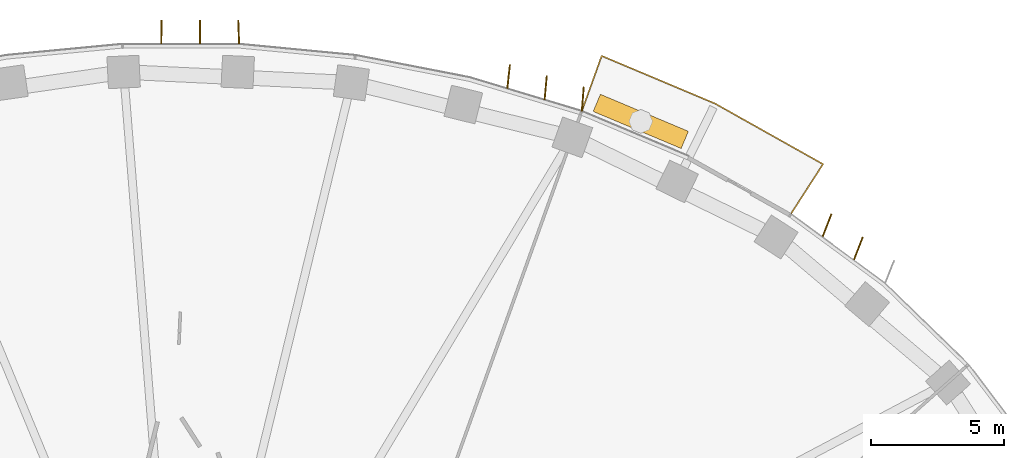
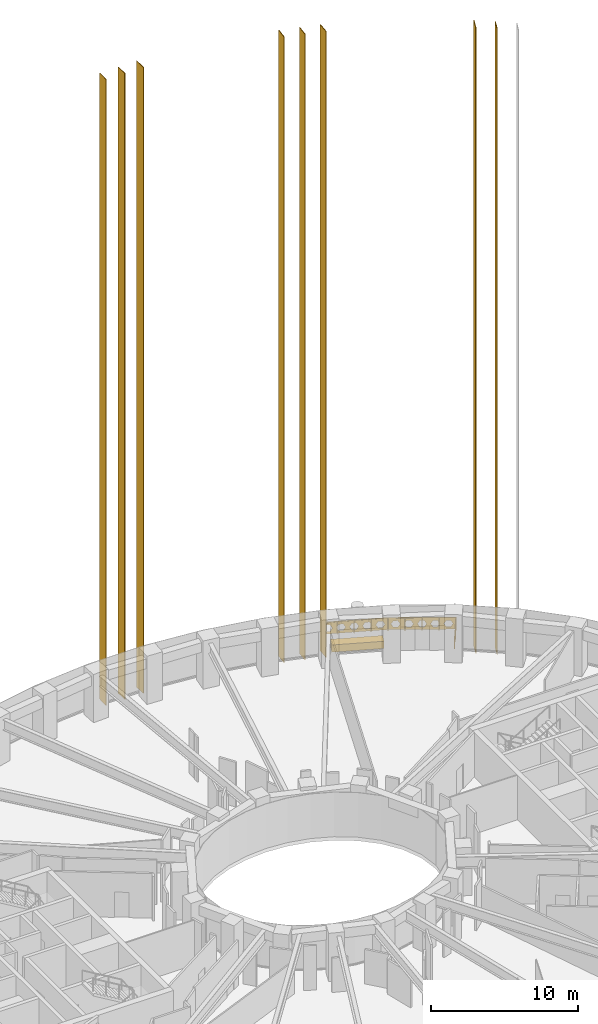
# One storey, part 17 of 19: 9 coverings, 1 railing.
"""IFC4 building model written with IfcOpenShell, lengths in metres."""

from ifc_helpers import new_model, si_unit, direction, frame, origin, origin_2d, place, context, subcontext, project, spatial, polyline, rectangle, outline, extrude, material, material_profile, profile_set, type_object, element, save


model = new_model("IFC4")

# Units and contexts
model_context = context("Model", 3, precision=1e-05, world=origin(), true_north=direction((0.0, 1.0)))
body_context = subcontext(model_context, "Body", "Model", "MODEL_VIEW")
ifc_project = project(units=[si_unit("LENGTHUNIT", "METRE"), si_unit("AREAUNIT", "SQUARE_METRE"), si_unit("VOLUMEUNIT", "CUBIC_METRE"), si_unit("PLANEANGLEUNIT", "RADIAN"), si_unit("MASSUNIT", "GRAM", prefix="KILO")], contexts=[model_context])

# Site, building, storey
site_placement = place(None, origin())
site = spatial("IfcSite", under=ifc_project, at=site_placement, CompositionType="ELEMENT")
building_placement = place(site_placement, origin())
building = spatial("IfcBuilding", under=site, at=building_placement, Name="Noorbagh Ring Tower", CompositionType="ELEMENT")
storey_placement = place(building_placement, frame((0.0, 0.0, 146.0)))
storey = spatial("IfcBuildingStorey", under=building, at=storey_placement, Name="L33", CompositionType="ELEMENT", Elevation=146.0)

# Coverings
ifc_material_1 = material(Name="Aluminium 6063-T6 black anodised", Category="aluminium")
ifc_material_profile = material_profile(ifc_material_1, rectangle(XDim=0.89990234375, YDim=0.050048828125, at=origin_2d()), Name="900x50")
ifc_profile_set = profile_set([ifc_material_profile], Name="Aluminium 6063-T6 black anodised")
covering_type_1 = type_object("IfcCoveringType", Name="ENV-FIN", PredefinedType="CLADDING", material=ifc_profile_set)
for number, where, z_axis, x_axis, name in (
    (1, (25.455078125, 20.2744140625, -0.284912109375), (0.0, 0.0, 1.0), (0.366046969104, 0.930596376745, 0.0), "Fin F06 2 L33-L45"),
    (2, (24.277587890625, 21.1416015625, -0.284912109375), (0.0, 0.0, 1.0), (0.364533046139, 0.931190452202, 0.0), "Fin F06 3 L33-L45"),
    (3, (15.102294921875, 25.884521484375, -0.284912109375), (0.0, 0.0, 1.0), (0.078357246483, 0.996925344208, 0.0), "Fin F09 1 L33-L45"),
    (4, (13.708740234375, 26.304931640625, -0.284912109375), (0.0, 0.0, 1.0), (0.092918421481, 0.995673725148, 0.0), "Fin F09 2 L33-L45"),
    (5, (12.31591796875, 26.72509765625, -0.284912109375), (0.0, 0.0, 1.0), (0.109101232004, 0.994030643982, 0.0), "Fin F09 3 L33-L45"),
    (6, (2.17724609375, 28.399169921875, -0.284912109375), (0.0, 0.0, 1.0), (-0.035640795498, 0.999364665023, 0.0), "Fin F12 1 L33-L45"),
    (7, (0.7255859375, 28.398681640625, -0.284912109375), (0.0, 0.0, 1.0), (-0.011915412219, 0.999929008956, 0.0), "Fin F12 2 L33-L45"),
    (8, (-0.7255859375, 28.398681640625, -0.284912109375), (0.0, 0.0, 1.0), (0.011915412219, 0.999929008956, 0.0), "Fin F12 3 L33-L45"),
):
    element("IfcCovering", number, at=place(storey_placement, frame(where, z_axis=z_axis, x_axis=x_axis)), inside=storey, type_object=covering_type_1, Name=name, ObjectType="FIN", PredefinedType="CLADDING", context=body_context, shape_type="SweptSolid", body=[
        extrude(rectangle(XDim=0.89990234375, YDim=0.050048828125, at=origin_2d()), origin(), (0.0, 0.0, 1.0), 51.969970703125),
    ])

# Railing
ifc_material_2 = material(Name="Steel S275 black powder-coated", Category="steel")
railing_type = type_object("IfcRailingType", Name="ENV-GUARD", PredefinedType="GUARDRAIL", material=ifc_material_2)
railing_placement = place(storey_placement, frame((22.9326171875, 21.583740234375, 0.0)))
element("IfcRailing", 9, at=railing_placement, inside=storey, type_object=railing_type, Name="Balcony guard BN02", PredefinedType="GUARDRAIL", context=body_context, shape_type="SweptSolid", body=[
    extrude(rectangle(XDim=0.048095703125, YDim=0.048095703125, at=origin_2d()), frame((0.0, 0.0, 1.076171875), z_axis=(0.542268136821, 0.840205491406, 0.0), x_axis=(-0.840205491406, 0.542268136821, 0.0)), (0.0, 0.0, 1.0), 2.204345703125),
    extrude(rectangle(XDim=0.048095703125, YDim=0.048095703125, at=origin_2d()), frame((1.1953125, 1.85205078125, 1.076171875), z_axis=(-0.872052247658, 0.489412788303, 0.0), x_axis=(-0.489412788303, -0.872052247658, 0.0)), (0.0, 0.0, 1.0), 4.646240234375),
    extrude(rectangle(XDim=0.048095703125, YDim=0.048095703125, at=origin_2d()), frame((-2.8564453125, 4.1259765625, 1.076171875), z_axis=(-0.921809087722, 0.387644174203, 0.0), x_axis=(-0.387644174203, -0.921809087722, 0.0)), (0.0, 0.0, 1.0), 4.627197265625),
    extrude(rectangle(XDim=0.048095703125, YDim=0.048095703125, at=origin_2d()), frame((-7.121826171875, 5.919677734375, 1.076171875), z_axis=(-0.338350546839, -0.941020141896, 0.0), x_axis=(0.941020141896, -0.338350546839, 0.0)), (0.0, 0.0, 1.0), 2.202880859375),
    extrude(rectangle(XDim=0.0419921875, YDim=0.0419921875, at=origin_2d()), origin(), (0.0, 0.0, 1.0), 1.052001953125),
    extrude(rectangle(XDim=0.0419921875, YDim=0.0419921875, at=origin_2d()), frame((0.59765625, 0.926025390625, 0.0)), (0.0, 0.0, 1.0), 1.052001953125),
    extrude(rectangle(XDim=0.0419921875, YDim=0.0419921875, at=origin_2d()), frame((1.1953125, 1.85205078125, 0.0)), (0.0, 0.0, 1.0), 1.052001953125),
    extrude(rectangle(XDim=0.0419921875, YDim=0.0419921875, at=origin_2d()), frame((0.182373046875, 2.42041015625, 0.0)), (0.0, 0.0, 1.0), 1.052001953125),
    extrude(rectangle(XDim=0.0419921875, YDim=0.0419921875, at=origin_2d()), frame((-0.83056640625, 2.989013671875, 0.0)), (0.0, 0.0, 1.0), 1.052001953125),
    extrude(rectangle(XDim=0.0419921875, YDim=0.0419921875, at=origin_2d()), frame((-1.843505859375, 3.5576171875, 0.0)), (0.0, 0.0, 1.0), 1.052001953125),
    extrude(rectangle(XDim=0.0419921875, YDim=0.0419921875, at=origin_2d()), frame((-2.8564453125, 4.1259765625, 0.0)), (0.0, 0.0, 1.0), 1.052001953125),
    extrude(rectangle(XDim=0.0419921875, YDim=0.0419921875, at=origin_2d()), frame((-3.9228515625, 4.574462890625, 0.0)), (0.0, 0.0, 1.0), 1.052001953125),
    extrude(rectangle(XDim=0.0419921875, YDim=0.0419921875, at=origin_2d()), frame((-4.9892578125, 5.02294921875, 0.0)), (0.0, 0.0, 1.0), 1.052001953125),
    extrude(rectangle(XDim=0.0419921875, YDim=0.0419921875, at=origin_2d()), frame((-6.055419921875, 5.47119140625, 0.0)), (0.0, 0.0, 1.0), 1.052001953125),
    extrude(rectangle(XDim=0.0419921875, YDim=0.0419921875, at=origin_2d()), frame((-7.121826171875, 5.919677734375, 0.0)), (0.0, 0.0, 1.0), 1.052001953125),
    extrude(rectangle(XDim=0.0419921875, YDim=0.0419921875, at=origin_2d()), frame((-7.49462890625, 4.88330078125, 0.0)), (0.0, 0.0, 1.0), 1.052001953125),
    extrude(rectangle(XDim=0.0419921875, YDim=0.0419921875, at=origin_2d()), frame((-7.8671875, 3.8466796875, 0.0)), (0.0, 0.0, 1.0), 1.052001953125),
    extrude(outline(polyline([(0.0, 0.10009765625), (2.204345703125, 0.10009765625), (2.204345703125, 1.031982421875), (0.0, 1.031982421875), (0.0, 0.10009765625)]), holes=[polyline([(0.962158203125, 0.56591796875), (0.80712890625, 0.83447265625), (0.4970703125, 0.83447265625), (0.342041015625, 0.56591796875), (0.4970703125, 0.297607421875), (0.80712890625, 0.297607421875), (0.962158203125, 0.56591796875)]), polyline([(1.862060546875, 0.56591796875), (1.70703125, 0.83447265625), (1.397216796875, 0.83447265625), (1.2421875, 0.56591796875), (1.397216796875, 0.297607421875), (1.70703125, 0.297607421875), (1.862060546875, 0.56591796875)])]), frame((-0.00830078125, 0.00537109375, 0.0), z_axis=(0.840205491406, -0.542268136821, 0.0), x_axis=(0.542268136821, 0.840205491406, 0.0)), (0.0, 0.0, 1.0), 0.02001953125),
    extrude(outline(polyline([(0.0, 0.10009765625), (4.646240234375, 0.10009765625), (4.646240234375, 1.031982421875), (0.0, 1.031982421875), (0.0, 0.10009765625)]), holes=[polyline([(0.8330078125, 0.56591796875), (0.67822265625, 0.83447265625), (0.3681640625, 0.83447265625), (0.213134765625, 0.56591796875), (0.3681640625, 0.297607421875), (0.67822265625, 0.297607421875), (0.8330078125, 0.56591796875)]), polyline([(1.733154296875, 0.56591796875), (1.578125, 0.83447265625), (1.26806640625, 0.83447265625), (1.113037109375, 0.56591796875), (1.26806640625, 0.297607421875), (1.578125, 0.297607421875), (1.733154296875, 0.56591796875)]), polyline([(2.633056640625, 0.56591796875), (2.47802734375, 0.83447265625), (2.168212890625, 0.83447265625), (2.01318359375, 0.56591796875), (2.168212890625, 0.297607421875), (2.47802734375, 0.297607421875), (2.633056640625, 0.56591796875)]), polyline([(3.533203125, 0.56591796875), (3.378173828125, 0.83447265625), (3.068115234375, 0.83447265625), (2.9130859375, 0.56591796875), (3.068115234375, 0.297607421875), (3.378173828125, 0.297607421875), (3.533203125, 0.56591796875)]), polyline([(4.43310546875, 0.56591796875), (4.278076171875, 0.83447265625), (3.968017578125, 0.83447265625), (3.813232421875, 0.56591796875), (3.968017578125, 0.297607421875), (4.278076171875, 0.297607421875), (4.43310546875, 0.56591796875)])]), frame((1.1904296875, 1.84326171875, 0.0), z_axis=(0.489412788303, 0.872052247658, 0.0), x_axis=(-0.872052247658, 0.489412788303, 0.0)), (0.0, 0.0, 1.0), 0.02001953125),
    extrude(outline(polyline([(0.0, 0.10009765625), (4.627197265625, 0.10009765625), (4.627197265625, 1.031982421875), (0.0, 1.031982421875), (0.0, 0.10009765625)]), holes=[polyline([(0.823486328125, 0.56591796875), (0.668701171875, 0.83447265625), (0.358642578125, 0.83447265625), (0.20361328125, 0.56591796875), (0.358642578125, 0.297607421875), (0.668701171875, 0.297607421875), (0.823486328125, 0.56591796875)]), polyline([(1.7236328125, 0.56591796875), (1.568603515625, 0.83447265625), (1.258544921875, 0.83447265625), (1.103515625, 0.56591796875), (1.258544921875, 0.297607421875), (1.568603515625, 0.297607421875), (1.7236328125, 0.56591796875)]), polyline([(2.62353515625, 0.56591796875), (2.468505859375, 0.83447265625), (2.15869140625, 0.83447265625), (2.003662109375, 0.56591796875), (2.15869140625, 0.297607421875), (2.468505859375, 0.297607421875), (2.62353515625, 0.56591796875)]), polyline([(3.523681640625, 0.56591796875), (3.36865234375, 0.83447265625), (3.05859375, 0.83447265625), (2.903564453125, 0.56591796875), (3.05859375, 0.297607421875), (3.36865234375, 0.297607421875), (3.523681640625, 0.56591796875)]), polyline([(4.423583984375, 0.56591796875), (4.2685546875, 0.83447265625), (3.95849609375, 0.83447265625), (3.8037109375, 0.56591796875), (3.95849609375, 0.297607421875), (4.2685546875, 0.297607421875), (4.423583984375, 0.56591796875)])]), frame((-2.8603515625, 4.11669921875, 0.0), z_axis=(0.387644174203, 0.921809087722, 0.0), x_axis=(-0.921809087722, 0.387644174203, 0.0)), (0.0, 0.0, 1.0), 0.02001953125),
    extrude(outline(polyline([(0.0, 0.10009765625), (2.202880859375, 0.10009765625), (2.202880859375, 1.031982421875), (0.0, 1.031982421875), (0.0, 0.10009765625)]), holes=[polyline([(0.96142578125, 0.56591796875), (0.806396484375, 0.83447265625), (0.49658203125, 0.83447265625), (0.341552734375, 0.56591796875), (0.49658203125, 0.297607421875), (0.806396484375, 0.297607421875), (0.96142578125, 0.56591796875)]), polyline([(1.861572265625, 0.56591796875), (1.70654296875, 0.83447265625), (1.396484375, 0.83447265625), (1.241455078125, 0.56591796875), (1.396484375, 0.297607421875), (1.70654296875, 0.297607421875), (1.861572265625, 0.56591796875)])]), frame((-7.1123046875, 5.916259765625, 0.0), z_axis=(-0.941020141896, 0.338350546839, 0.0), x_axis=(-0.338350546839, -0.941020141896, 0.0)), (0.0, 0.0, 1.0), 0.02001953125),
])

# Covering
ifc_material_3 = material(Name="Concrete C30/37 planter with soil", Category="concrete")
covering_type_2 = type_object("IfcCoveringType", Name="ENV-PLANTER", PredefinedType="CLADDING", material=ifc_material_3)
covering_placement = place(storey_placement, frame((17.280517578125, 25.041259765625, 0.0), z_axis=(0.0, 0.0, 1.0), x_axis=(-0.921811566494, 0.387638279686, 0.0)))
element("IfcCovering", 10, at=covering_placement, inside=storey, type_object=covering_type_2, Name="PLANTER BN02", ObjectType="PLANTER", PredefinedType="CLADDING", context=body_context, shape_type="SweptSolid", body=[
    extrude(rectangle(XDim=3.5859375, YDim=0.699951171875, at=origin_2d()), origin(), (0.0, 0.0, 1.0), 0.60009765625),
])

save(model, "model.ifc")
